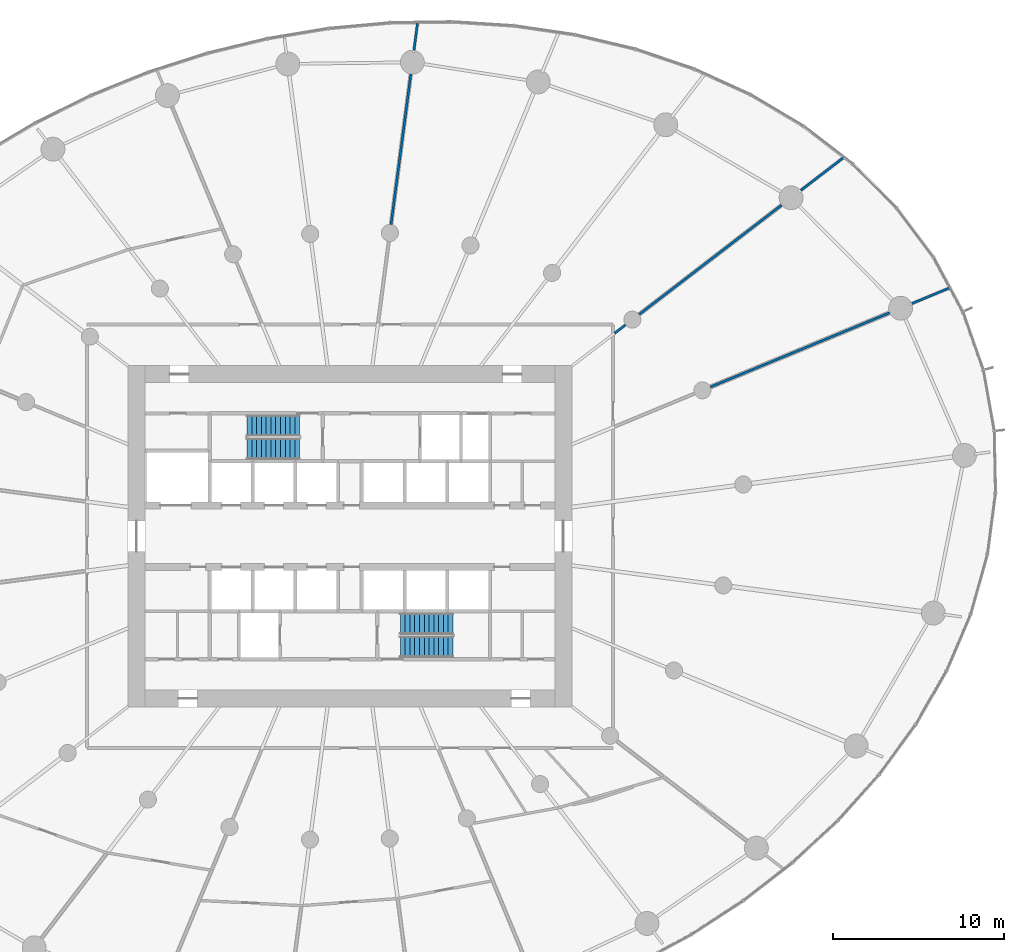
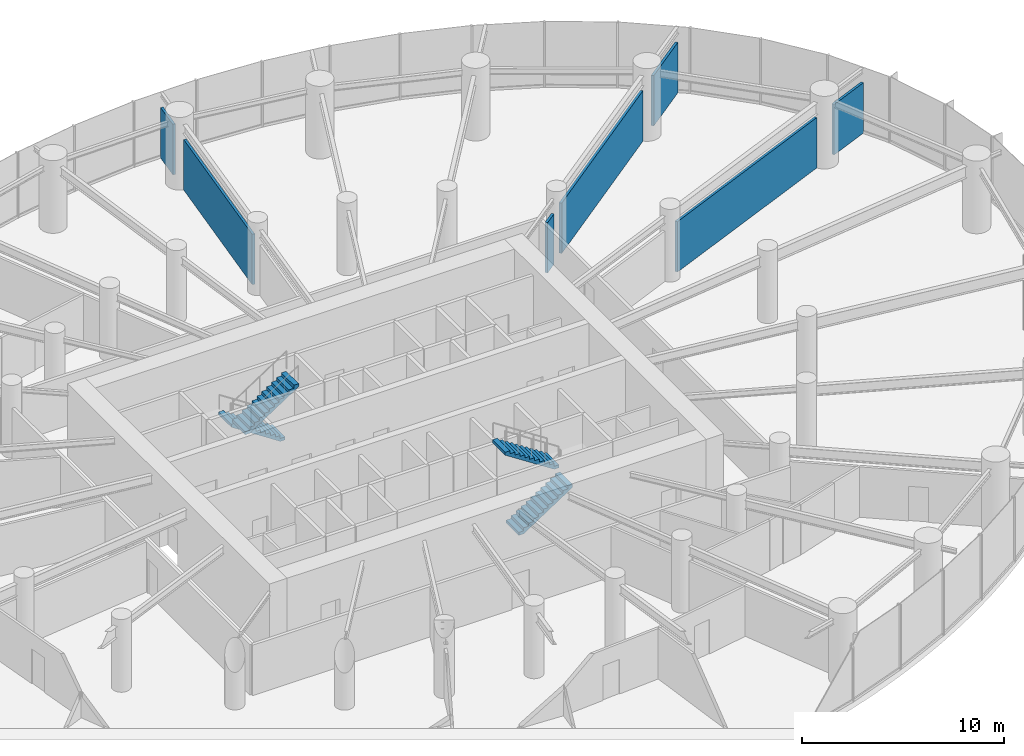
# One storey, part 15 of 18: 7 walls, 4 stair flights, 2 elements without a shape of their own.
"""IFC4 building model written with IfcOpenShell, lengths in metres."""

import ifcopenshell
import ifcopenshell.guid

model = None  # the IFC model being written
_history = None  # IfcOwnerHistory: only IFC2X3 demands one
_inside = {}  # id of a spatial element -> (the spatial element, [elements in it])
_under = {}  # id of a project, library or spatial element -> (it, [spatial elements below it])
_declared = {}  # id of a project -> (the project, [libraries it declares])
_typed = {}  # id of a type object -> (the type object, [elements of that type])
_made_of = {}  # id of a material, layer set ... -> (it, [elements and type objects made of it])


def new_model(schema):
    """Start an empty IFC model of exactly this schema.

    Asked for "IFC4X3", IfcOpenShell would pick the latest addendum, in which some entities
    have other attributes; the version numbers below select the first issue.
    IFC2X3 requires an IfcOwnerHistory on every rooted entity: one is made here for all.
    """
    global model, _history
    if schema == "IFC4X3":
        model = ifcopenshell.file(schema_version=(4, 3, 0, 0))
    else:
        model = ifcopenshell.file(schema=schema)
    _inside.clear()
    _under.clear()
    _declared.clear()
    _typed.clear()
    _made_of.clear()
    _history = None
    if model.schema == "IFC2X3":
        org = make("IfcOrganization", Name="unknown")
        user = make(
            "IfcPersonAndOrganization",
            ThePerson=make("IfcPerson", FamilyName="unknown"),
            TheOrganization=org,
        )
        app = make(
            "IfcApplication",
            ApplicationDeveloper=org,
            Version="unknown",
            ApplicationFullName="unknown",
            ApplicationIdentifier="unknown",
        )
        _history = make(
            "IfcOwnerHistory",
            OwningUser=user,
            OwningApplication=app,
            ChangeAction="ADDED",
            CreationDate=0,
        )
    return model


def make(cls, **values):
    """One entity of the class cls with the attributes given. An attribute that is None is left unset."""
    return model.create_entity(
        cls, **{name: value for name, value in values.items() if value is not None}
    )


def rooted(cls, **values):
    """An entity with a GlobalId (a new one), such as an element, a storey or a relation."""
    return make(cls, GlobalId=ifcopenshell.guid.new(), OwnerHistory=_history, **values)


def si_unit(unit_type, name, prefix=None):
    """IfcSIUnit, for example si_unit("LENGTHUNIT", "METRE", prefix="MILLI")."""
    return make("IfcSIUnit", UnitType=unit_type, Prefix=prefix, Name=name)


def assignment(units):
    """IfcUnitAssignment: the units of a project."""
    return None if units is None else make("IfcUnitAssignment", Units=units)


def point(xyz):
    """IfcCartesianPoint."""
    return None if xyz is None else make("IfcCartesianPoint", Coordinates=xyz)


def direction(xyz):
    """IfcDirection."""
    return None if xyz is None else make("IfcDirection", DirectionRatios=xyz)


def frame(location, z_axis=None, x_axis=None):
    """IfcAxis2Placement3D, a coordinate frame: its origin and axes. An axis left out is left unset."""
    return make(
        "IfcAxis2Placement3D",
        Location=point(location),
        Axis=direction(z_axis),
        RefDirection=direction(x_axis),
    )


def frame_2d(location, x_axis=None):
    """IfcAxis2Placement2D, a coordinate frame in the plane: its origin and x axis."""
    return make(
        "IfcAxis2Placement2D", Location=point(location), RefDirection=direction(x_axis)
    )


def origin():
    """The frame at (0, 0, 0) with its axes left unset."""
    return frame((0.0, 0.0, 0.0))


def place(relative_to, where):
    """IfcLocalPlacement: puts the frame where relative to a parent placement (None: the world)."""
    return make(
        "IfcLocalPlacement", PlacementRelTo=relative_to, RelativePlacement=where
    )


def context(
    kind, dimensions, precision=None, world=None, true_north=None, identifier=None
):
    """IfcGeometricRepresentationContext, for example the 3D "Model" context."""
    return make(
        "IfcGeometricRepresentationContext",
        ContextIdentifier=identifier,
        ContextType=kind,
        CoordinateSpaceDimension=dimensions,
        Precision=precision,
        WorldCoordinateSystem=world,
        TrueNorth=true_north,
    )


def subcontext(parent, identifier, kind, view, scale=None):
    """IfcGeometricRepresentationSubContext, for example "Body" below "Model"."""
    return make(
        "IfcGeometricRepresentationSubContext",
        ContextIdentifier=identifier,
        ContextType=kind,
        ParentContext=parent,
        TargetScale=scale,
        TargetView=view,
    )


def project(units=None, contexts=None):
    """IfcProject with its units and contexts."""
    return rooted(
        "IfcProject",
        Name="project",
        RepresentationContexts=contexts,
        UnitsInContext=assignment(units),
    )


def spatial(cls, under=None, at=None, **own):
    """A site, building, storey or space (cls), placed at a placement, below another one or the project."""
    s = rooted(cls, ObjectPlacement=at, **own)
    if under is not None:
        _under.setdefault(under.id(), (under, []))[1].append(s)
    return s


def point_list(points):
    """IfcCartesianPointList2D or 3D."""
    cls = (
        "IfcCartesianPointList2D" if len(points[0]) == 2 else "IfcCartesianPointList3D"
    )
    return make(cls, CoordList=points)


def line(*indices):
    """IfcLineIndex: a straight run through numbered points of an indexed curve."""
    return model.create_entity("IfcLineIndex", indices)


def indexed_curve(points, segments=None, self_intersect=None):
    """IfcIndexedPolyCurve: lines and arcs through numbered points (the first is 1)."""
    return make(
        "IfcIndexedPolyCurve",
        Points=point_list(points),
        Segments=segments,
        SelfIntersect=self_intersect,
    )


def profile(cls, at=None, kind="AREA", **sizes):
    """A parametric profile (cls). Its sizes go by their IFC names, for example OverallWidth=200.0."""
    return make(cls, ProfileType=kind, Position=at, **sizes)


def rectangle(**sizes):
    """IfcRectangleProfileDef."""
    return profile("IfcRectangleProfileDef", **sizes)


def outline(outer, holes=None, kind="AREA"):
    """IfcArbitraryClosedProfileDef: a profile drawn as a closed curve; with holes, ...WithVoids."""
    if holes is None:
        return make("IfcArbitraryClosedProfileDef", ProfileType=kind, OuterCurve=outer)
    return make(
        "IfcArbitraryProfileDefWithVoids",
        ProfileType=kind,
        OuterCurve=outer,
        InnerCurves=holes,
    )


def extrude(swept, where, along, depth):
    """IfcExtrudedAreaSolid: the profile swept, set in the frame where, extruded along a direction by depth."""
    return make(
        "IfcExtrudedAreaSolid",
        SweptArea=swept,
        Position=where,
        ExtrudedDirection=direction(along),
        Depth=depth,
    )


def shape(context_of_items, identifier, shape_type, items):
    """IfcShapeRepresentation: the items that make up one representation, for example the "Body"."""
    return make(
        "IfcShapeRepresentation",
        ContextOfItems=context_of_items,
        RepresentationIdentifier=identifier,
        RepresentationType=shape_type,
        Items=items,
    )


def material(Name=None, Category=None):
    """IfcMaterial."""
    return make("IfcMaterial", Name=Name, Category=Category)


def layer(
    of_material, thickness, ventilated=None, Name=None, Category=None, Priority=None
):
    """IfcMaterialLayer: one layer of a wall or slab, of a material (None: an air gap)."""
    return make(
        "IfcMaterialLayer",
        Material=of_material,
        LayerThickness=thickness,
        IsVentilated=ventilated,
        Name=Name,
        Category=Category,
        Priority=Priority,
    )


def layer_set(layers, Name=None):
    """IfcMaterialLayerSet."""
    return make("IfcMaterialLayerSet", MaterialLayers=layers, LayerSetName=Name)


def made_of(thing, what):
    """Note that an element or type object is made of a material, layer set ...; save() writes the relation."""
    if what is not None:
        _made_of.setdefault(what.id(), (what, []))[1].append(thing)
    return thing


def type_object(cls, material=None, **own):
    """A type object (cls), such as IfcWallType, which elements share."""
    return made_of(rooted(cls, **own), material)


def element(
    cls,
    number,
    at=None,
    inside=None,
    cuts=None,
    type_object=None,
    material=None,
    context=None,
    identifier="Body",
    shape_type=None,
    held_by="IfcProductDefinitionShape",
    body=None,
    shapes=None,
    **own,
):
    """One element of the class cls, such as IfcWall. Its Tag is "e" and its number.

    at: its placement. inside: the storey or other place that contains it. cuts: it is an
    opening in that element (IfcRelVoidsElement). A single representation is given by context,
    identifier, shape_type and body (its items); several are given by shapes. held_by: the class
    of the entity that holds the representations. save() writes the other relations.
    """
    e = rooted(cls, Tag="e%d" % number, ObjectPlacement=at, **own)
    if body is not None:
        shapes = [shape(context, identifier, shape_type, body)]
    if shapes is not None:
        e.Representation = make(held_by, Representations=shapes)
    if inside is not None:
        _inside.setdefault(inside.id(), (inside, []))[1].append(e)
    if cuts is not None:
        rooted(
            "IfcRelVoidsElement", RelatingBuildingElement=cuts, RelatedOpeningElement=e
        )
    if type_object is not None:
        _typed.setdefault(type_object.id(), (type_object, []))[1].append(e)
    return made_of(e, material)


def aggregate(whole, parts):
    """IfcRelAggregates: a whole, such as a stair, and the parts it consists of."""
    return rooted("IfcRelAggregates", RelatingObject=whole, RelatedObjects=parts)


def save(model, path):
    """Write the relations noted so far, then the file.

    IfcRelAggregates (storeys below a building ...), IfcRelContainedInSpatialStructure (elements
    in a storey), IfcRelDefinesByType, IfcRelAssociatesMaterial and IfcRelDeclares: one each for
    every whole, place, type object, material and project.
    """
    for whole, parts in _under.values():
        aggregate(whole, parts)
    for where, things in _inside.values():
        rooted(
            "IfcRelContainedInSpatialStructure",
            RelatedElements=things,
            RelatingStructure=where,
        )
    for kind, things in _typed.values():
        rooted("IfcRelDefinesByType", RelatedObjects=things, RelatingType=kind)
    for what, things in _made_of.values():
        rooted("IfcRelAssociatesMaterial", RelatedObjects=things, RelatingMaterial=what)
    for by, libraries in _declared.values():
        rooted("IfcRelDeclares", RelatingContext=by, RelatedDefinitions=libraries)
    model.write(path)


model = new_model("IFC4")

# Units and contexts
model_context = context("Model", 3, precision=1e-05, world=origin(), true_north=direction((0.0, 1.0)))
body_context = subcontext(model_context, "Body", "Model", "MODEL_VIEW")
ifc_project = project(units=[si_unit("LENGTHUNIT", "METRE"), si_unit("AREAUNIT", "SQUARE_METRE"), si_unit("VOLUMEUNIT", "CUBIC_METRE"), si_unit("PLANEANGLEUNIT", "RADIAN"), si_unit("MASSUNIT", "GRAM", prefix="KILO")], contexts=[model_context])

# Site, building, storey
site_placement = place(None, origin())
site = spatial("IfcSite", under=ifc_project, at=site_placement, CompositionType="ELEMENT")
building_placement = place(site_placement, origin())
building = spatial("IfcBuilding", under=site, at=building_placement, Name="Spindrift Exchange Tower", CompositionType="ELEMENT")
storey_placement = place(building_placement, frame((0.0, 0.0, 66.60009765625)))
storey = spatial("IfcBuildingStorey", under=building, at=storey_placement, Name="L15", CompositionType="ELEMENT", Elevation=66.60009765625)

# Walls
ifc_material_1 = material(Name="Fire-rated plasterboard partition", Category="gypsum")
ifc_layer = layer(ifc_material_1, 0.139892578125)
ifc_layer_set = layer_set([ifc_layer], Name="W-PART-140")
wall_type = type_object("IfcWallType", Name="W-PART-140", PredefinedType="PARTITIONING", material=ifc_layer_set)
wall_1_placement = place(storey_placement, frame((73.10595703125, 56.7421875, 0.0), z_axis=(0.0, 0.0, 1.0), x_axis=(0.923875075531, 0.382694192291, 0.0)))
element("IfcWall", 1, at=wall_1_placement, inside=storey, type_object=wall_type, Name="L15 Partition wall 65", PredefinedType="PARTITIONING", context=body_context, shape_type="SweptSolid", body=[
    extrude(rectangle(XDim=11.356201171875, YDim=0.139892578125, at=frame_2d((5.67822265625, 0.0))), origin(), (0.0, 0.0, 1.0), 3.0498046875),
])
wall_2_placement = place(storey_placement, frame((68.93505859375, 60.99462890625, 0.0), z_axis=(0.0, 0.0, 1.0), x_axis=(0.793353660174, 0.608761012129, 0.0)))
element("IfcWall", 2, at=wall_2_placement, inside=storey, type_object=wall_type, Name="L15 Partition wall 68", PredefinedType="PARTITIONING", context=body_context, shape_type="SweptSolid", body=[
    extrude(rectangle(XDim=10.5146484375, YDim=0.139892578125, at=frame_2d((5.25732421875, 0.0))), origin(), (0.0, 0.0, 1.0), 3.0498046875),
])
wall_3_placement = place(storey_placement, frame((54.405029296875, 66.267333984375, 0.0), z_axis=(0.0, 0.0, 1.0), x_axis=(0.130521426482, 0.991445488783, 0.0)))
element("IfcWall", 3, at=wall_3_placement, inside=storey, type_object=wall_type, Name="L15 Partition wall 69", PredefinedType="PARTITIONING", context=body_context, shape_type="SweptSolid", body=[
    extrude(rectangle(XDim=8.871826171875, YDim=0.139892578125, at=frame_2d((4.43603515625, 0.0))), origin(), (0.0, 0.0, 1.0), 3.0498046875),
])
wall_4_placement = place(storey_placement, frame((78.394287109375, 68.253173828125, 0.0), z_axis=(0.0, 0.0, 1.0), x_axis=(0.793391027205, 0.608712311319, 0.0)))
element("IfcWall", 4, at=wall_4_placement, inside=storey, type_object=wall_type, Name="L15 Partition wall 102", PredefinedType="PARTITIONING", context=body_context, shape_type="SweptSolid", body=[
    extrude(rectangle(XDim=3.12109375, YDim=0.139892578125, at=frame_2d((1.560546875, 0.0))), origin(), (0.0, 0.0, 1.0), 3.0498046875),
])
wall_5_placement = place(storey_placement, frame((84.900146484375, 61.627685546875, 0.0), z_axis=(0.0, 0.0, 1.0), x_axis=(0.923877154041, 0.38268917445, 0.0)))
element("IfcWall", 5, at=wall_5_placement, inside=storey, type_object=wall_type, Name="L15 Partition wall 109", PredefinedType="PARTITIONING", context=body_context, shape_type="SweptSolid", body=[
    extrude(rectangle(XDim=2.385986328125, YDim=0.139892578125, at=frame_2d((1.19287109375, 0.0))), origin(), (0.0, 0.0, 1.0), 3.0498046875),
])
wall_6_placement = place(storey_placement, frame((55.746826171875, 76.459716796875, 0.0), z_axis=(0.0, 0.0, 1.0), x_axis=(0.130454512571, 0.991454295543, 0.0)))
element("IfcWall", 6, at=wall_6_placement, inside=storey, type_object=wall_type, Name="L15 Partition wall 119", PredefinedType="PARTITIONING", context=body_context, shape_type="SweptSolid", body=[
    extrude(rectangle(XDim=1.581298828125, YDim=0.139892578125, at=frame_2d((0.79052734375, 0.0))), origin(), (0.0, 0.0, 1.0), 3.0498046875),
])
wall_7_placement = place(storey_placement, frame((67.489990234375, 59.885986328125, 0.0), z_axis=(0.0, 0.0, 1.0), x_axis=(0.793316076519, 0.608809989025, 0.0)))
element("IfcWall", 7, at=wall_7_placement, inside=storey, type_object=wall_type, Name="L15 Partition wall 126", PredefinedType="PARTITIONING", context=body_context, shape_type="SweptSolid", body=[
    extrude(rectangle(XDim=0.8125, YDim=0.139892578125, at=frame_2d((0.40625, 0.0))), origin(), (0.0, 0.0, 1.0), 3.0498046875),
])

# Stair, stair flights
ifc_material_2 = material(Name="Concrete 50 MPa", Category="concrete")
stair_type = type_object("IfcStairType", Name="ST-1250-R183", PredefinedType="HALF_TURN_STAIR", material=ifc_material_2)
stair_1_placement = place(storey_placement, origin())
stair_1 = element("IfcStair", 8, at=stair_1_placement, inside=storey, type_object=stair_type, Name="L15 Exit stair ST1", PredefinedType="HALF_TURN_STAIR")
stair_flight_type = type_object("IfcStairFlightType", Name="STF-1250-R183", PredefinedType="STRAIGHT", material=ifc_material_2)
stair_flight_1_placement = place(storey_placement, frame((49.050048828125, 54.47509765625, 0.0), z_axis=(0.0, 0.0, 1.0), x_axis=(-1.0, 0.0, 0.0)))
stair_flight_1 = element("IfcStairFlight", 9, at=stair_flight_1_placement, type_object=stair_flight_type, Name="ST1 flight 1", NumberOfRisers=12, NumberOfTreads=11, PredefinedType="STRAIGHT", RiserHeight=0.183333333, TreadLength=0.28, context=body_context, shape_type="SweptSolid", body=[
    extrude(outline(indexed_curve([(0.0, 0.0), (0.0, 0.18359375), (0.2802734375, 0.18359375), (0.2802734375, 0.3662109375), (0.5595703125, 0.3662109375), (0.5595703125, 0.5498046875), (0.83984375, 0.5498046875), (0.83984375, 0.7333984375), (1.1201171875, 0.7333984375), (1.1201171875, 0.9169921875), (1.400390625, 0.9169921875), (1.400390625, 1.099609375), (1.6796875, 1.099609375), (1.6796875, 1.283203125), (1.9599609375, 1.283203125), (1.9599609375, 1.466796875), (2.240234375, 1.466796875), (2.240234375, 1.650390625), (2.51953125, 1.650390625), (2.51953125, 1.8330078125), (2.7998046875, 1.8330078125), (2.7998046875, 2.0166015625), (3.080078125, 2.0166015625), (3.080078125, 2.2001953125), (3.080078125, 1.837890625), (0.2734375, 0.0)], segments=[line(1, 2, 3, 4, 5, 6, 7, 8, 9, 10, 11, 12, 13, 14, 15, 16, 17, 18, 19, 20, 21, 22, 23, 24, 25, 26, 1)], self_intersect=False)), frame((0.0, 0.625, 0.0), z_axis=(0.0, -1.0, 0.0), x_axis=(1.0, 0.0, 0.0)), (0.0, 0.0, 1.0), 1.25),
])
stair_flight_2_placement = place(storey_placement, frame((45.969970703125, 53.125, 2.199951171875), z_axis=(0.0, 0.0, 1.0), x_axis=(1.0, 0.0, 0.0)))
stair_flight_2 = element("IfcStairFlight", 10, at=stair_flight_2_placement, type_object=stair_flight_type, Name="ST1 flight 2", NumberOfRisers=12, NumberOfTreads=11, PredefinedType="STRAIGHT", RiserHeight=0.183333333, TreadLength=0.28, context=body_context, shape_type="SweptSolid", body=[
    extrude(outline(indexed_curve([(0.0, 0.0), (0.0, 0.18359375), (0.2802734375, 0.18359375), (0.2802734375, 0.3662109375), (0.5595703125, 0.3662109375), (0.5595703125, 0.5498046875), (0.83984375, 0.5498046875), (0.83984375, 0.7333984375), (1.1201171875, 0.7333984375), (1.1201171875, 0.9169921875), (1.400390625, 0.9169921875), (1.400390625, 1.099609375), (1.6796875, 1.099609375), (1.6796875, 1.283203125), (1.9599609375, 1.283203125), (1.9599609375, 1.466796875), (2.240234375, 1.466796875), (2.240234375, 1.650390625), (2.51953125, 1.650390625), (2.51953125, 1.8330078125), (2.7998046875, 1.8330078125), (2.7998046875, 2.0166015625), (3.080078125, 2.0166015625), (3.080078125, 2.2001953125), (3.080078125, 1.837890625), (0.2734375, 0.0)], segments=[line(1, 2, 3, 4, 5, 6, 7, 8, 9, 10, 11, 12, 13, 14, 15, 16, 17, 18, 19, 20, 21, 22, 23, 24, 25, 26, 1)], self_intersect=False)), frame((0.0, 0.625, 0.0), z_axis=(0.0, -1.0, 0.0), x_axis=(1.0, 0.0, 0.0)), (0.0, 0.0, 1.0), 1.25),
])
aggregate(stair_1, [stair_flight_1, stair_flight_2])

stair_2_placement = place(storey_placement, origin())
stair_2 = element("IfcStair", 11, at=stair_2_placement, inside=storey, type_object=stair_type, Name="L15 Exit stair ST2", PredefinedType="HALF_TURN_STAIR")
stair_flight_3_placement = place(storey_placement, frame((54.949951171875, 41.52490234375, 0.0), z_axis=(0.0, 0.0, 1.0), x_axis=(1.0, 0.0, 0.0)))
stair_flight_3 = element("IfcStairFlight", 12, at=stair_flight_3_placement, type_object=stair_flight_type, Name="ST2 flight 1", NumberOfRisers=12, NumberOfTreads=11, PredefinedType="STRAIGHT", RiserHeight=0.183333333, TreadLength=0.28, context=body_context, shape_type="SweptSolid", body=[
    extrude(outline(indexed_curve([(0.0, 0.0), (0.0, 0.18359375), (0.2802734375, 0.18359375), (0.2802734375, 0.3662109375), (0.5595703125, 0.3662109375), (0.5595703125, 0.5498046875), (0.83984375, 0.5498046875), (0.83984375, 0.7333984375), (1.1201171875, 0.7333984375), (1.1201171875, 0.9169921875), (1.400390625, 0.9169921875), (1.400390625, 1.099609375), (1.6796875, 1.099609375), (1.6796875, 1.283203125), (1.9599609375, 1.283203125), (1.9599609375, 1.466796875), (2.240234375, 1.466796875), (2.240234375, 1.650390625), (2.51953125, 1.650390625), (2.51953125, 1.8330078125), (2.7998046875, 1.8330078125), (2.7998046875, 2.0166015625), (3.080078125, 2.0166015625), (3.080078125, 2.2001953125), (3.080078125, 1.837890625), (0.2734375, 0.0)], segments=[line(1, 2, 3, 4, 5, 6, 7, 8, 9, 10, 11, 12, 13, 14, 15, 16, 17, 18, 19, 20, 21, 22, 23, 24, 25, 26, 1)], self_intersect=False)), frame((0.0, 0.625, 0.0), z_axis=(0.0, -1.0, 0.0), x_axis=(1.0, 0.0, 0.0)), (0.0, 0.0, 1.0), 1.25),
])
stair_flight_4_placement = place(storey_placement, frame((58.030029296875, 42.875, 2.199951171875), z_axis=(0.0, 0.0, 1.0), x_axis=(-1.0, 0.0, 0.0)))
stair_flight_4 = element("IfcStairFlight", 13, at=stair_flight_4_placement, type_object=stair_flight_type, Name="ST2 flight 2", NumberOfRisers=12, NumberOfTreads=11, PredefinedType="STRAIGHT", RiserHeight=0.183333333, TreadLength=0.28, context=body_context, shape_type="SweptSolid", body=[
    extrude(outline(indexed_curve([(0.0, 0.0), (0.0, 0.18359375), (0.2802734375, 0.18359375), (0.2802734375, 0.3662109375), (0.5595703125, 0.3662109375), (0.5595703125, 0.5498046875), (0.83984375, 0.5498046875), (0.83984375, 0.7333984375), (1.1201171875, 0.7333984375), (1.1201171875, 0.9169921875), (1.400390625, 0.9169921875), (1.400390625, 1.099609375), (1.6796875, 1.099609375), (1.6796875, 1.283203125), (1.9599609375, 1.283203125), (1.9599609375, 1.466796875), (2.240234375, 1.466796875), (2.240234375, 1.650390625), (2.51953125, 1.650390625), (2.51953125, 1.8330078125), (2.7998046875, 1.8330078125), (2.7998046875, 2.0166015625), (3.080078125, 2.0166015625), (3.080078125, 2.2001953125), (3.080078125, 1.837890625), (0.2734375, 0.0)], segments=[line(1, 2, 3, 4, 5, 6, 7, 8, 9, 10, 11, 12, 13, 14, 15, 16, 17, 18, 19, 20, 21, 22, 23, 24, 25, 26, 1)], self_intersect=False)), frame((0.0, 0.625, 0.0), z_axis=(0.0, -1.0, 0.0), x_axis=(1.0, 0.0, 0.0)), (0.0, 0.0, 1.0), 1.25),
])
aggregate(stair_2, [stair_flight_3, stair_flight_4])

save(model, "model.ifc")
